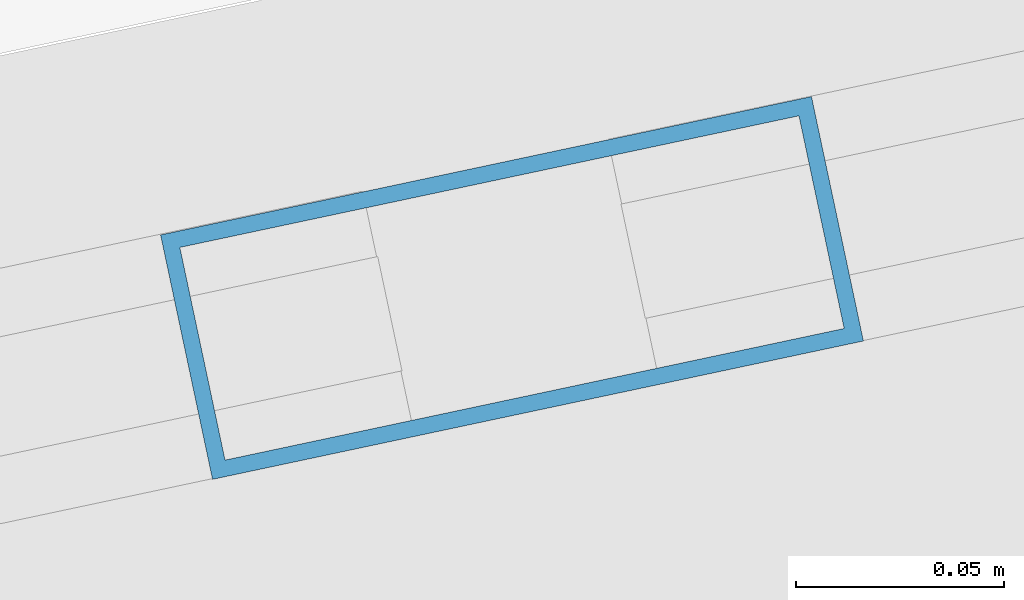
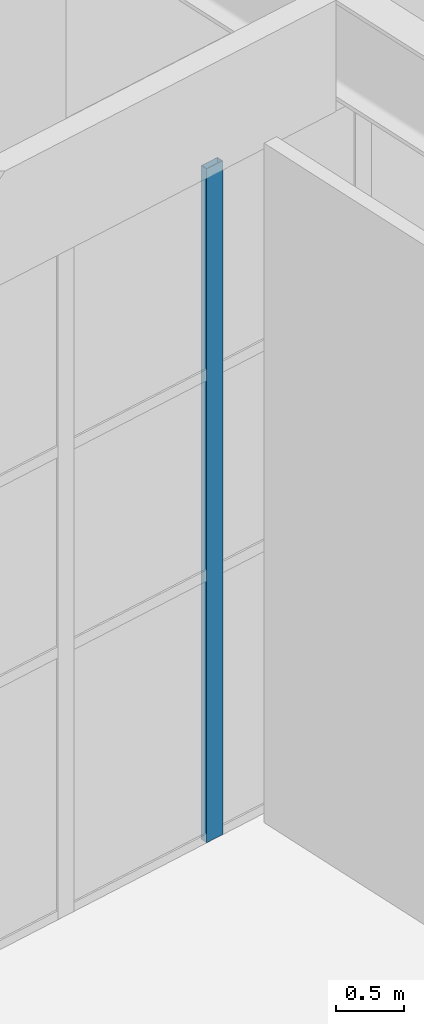
# One storey, part 89 of 239: 1 member, 1 element without a shape of its own.
"""IFC4 building model written with IfcOpenShell, lengths in metres."""

from ifc_helpers import new_model, si_unit, direction, frame, origin, origin_2d, place, context, subcontext, project, spatial, hollow_rectangle, extrude, material, material_profile, profile_set, type_object, element, aggregate, save


model = new_model("IFC4")

# Units and contexts
model_context = context("Model", 3, precision=1e-05, world=origin(), true_north=direction((0.0, 1.0)))
body_context = subcontext(model_context, "Body", "Model", "MODEL_VIEW")
ifc_project = project(units=[si_unit("LENGTHUNIT", "METRE"), si_unit("AREAUNIT", "SQUARE_METRE"), si_unit("VOLUMEUNIT", "CUBIC_METRE"), si_unit("PLANEANGLEUNIT", "RADIAN"), si_unit("MASSUNIT", "GRAM", prefix="KILO")], contexts=[model_context])

# Site, building, storey
site_placement = place(None, origin())
site = spatial("IfcSite", under=ifc_project, at=site_placement, CompositionType="ELEMENT")
building_placement = place(site_placement, origin())
building = spatial("IfcBuilding", under=site, at=building_placement, Name="Okhra Congress Centre", CompositionType="ELEMENT")
storey_placement = place(building_placement, origin())
storey = spatial("IfcBuildingStorey", under=building, at=storey_placement, Name="L00", CompositionType="ELEMENT", Elevation=0.0)

# Curtain wall, member
ifc_material_1 = material(Name="Aluminium curtain wall, triple glazing", Category="aluminium")
curtain_wall_type = type_object("IfcCurtainWallType", Name="Curtain wall 1500 module", PredefinedType="NOTDEFINED", material=ifc_material_1)
curtain_wall_placement = place(storey_placement, origin())
curtain_wall = element("IfcCurtainWall", 1, at=curtain_wall_placement, inside=storey, type_object=curtain_wall_type, Name="Ground curtain wall N9", PredefinedType="NOTDEFINED")
ifc_material_2 = material(Name="Aluminium alloy EN AW-6063 T66", Category="aluminium")
ifc_material_profile = material_profile(ifc_material_2, hollow_rectangle(XDim=0.06005859375, YDim=0.159912109375, WallThickness=0.00390625, at=origin_2d()), Name="RHS 60x160x4")
ifc_profile_set = profile_set([ifc_material_profile], Name="Aluminium alloy EN AW-6063 T66")
member_type = type_object("IfcMemberType", Name="Curtain wall mullion 60x160", PredefinedType="MULLION", material=ifc_profile_set)
member_placement = place(storey_placement, frame((152.625, 65.85498046875, 0.0), z_axis=(0.0, 0.0, 1.0), x_axis=(-0.207911690818, 0.978147600734, 0.0)))
member = element("IfcMember", 2, at=member_placement, type_object=member_type, Name="CW7 mullion 11", PredefinedType="MULLION", context=body_context, shape_type="SweptSolid", body=[
    extrude(hollow_rectangle(XDim=0.06005859375, YDim=0.159912109375, WallThickness=0.00390625, at=origin_2d()), origin(), (0.0, 0.0, 1.0), 6.050048828125),
])
aggregate(curtain_wall, [member])

save(model, "model.ifc")
